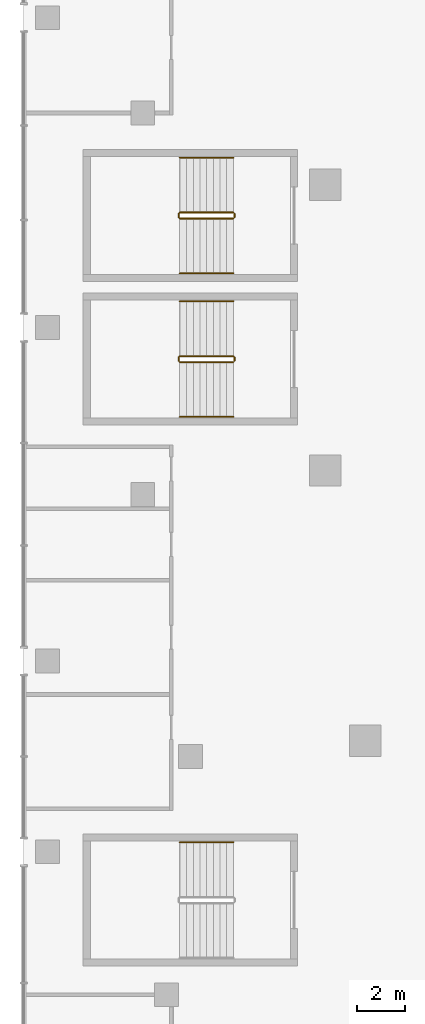
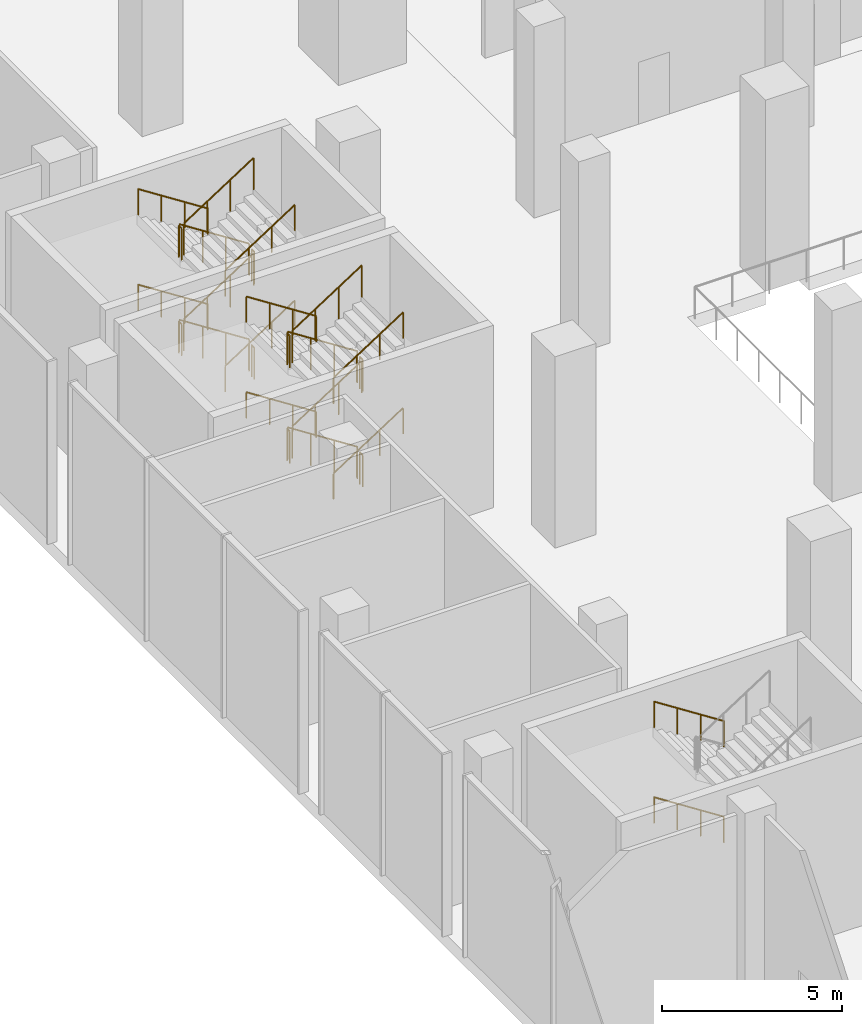
# One storey, part 24 of 30: 26 railings.
"""IFC4 building model written with IfcOpenShell, lengths in metres."""

from ifc_helpers import new_model, si_unit, direction, frame, origin, origin_2d, place, context, subcontext, project, spatial, circle, extrude, material, type_object, element, save


model = new_model("IFC4")

# Units and contexts
model_context = context("Model", 3, precision=1e-05, world=origin(), true_north=direction((0.0, 1.0)))
body_context = subcontext(model_context, "Body", "Model", "MODEL_VIEW")
ifc_project = project(units=[si_unit("LENGTHUNIT", "METRE"), si_unit("AREAUNIT", "SQUARE_METRE"), si_unit("VOLUMEUNIT", "CUBIC_METRE"), si_unit("PLANEANGLEUNIT", "RADIAN"), si_unit("MASSUNIT", "GRAM", prefix="KILO")], contexts=[model_context])

# Site, building, storey
site_placement = place(None, origin())
site = spatial("IfcSite", under=ifc_project, at=site_placement, CompositionType="ELEMENT")
building_placement = place(site_placement, origin())
building = spatial("IfcBuilding", under=site, at=building_placement, Name="Wharfspan Tower", CompositionType="ELEMENT")
storey_placement = place(building_placement, frame((0.0, 0.0, 15.0)))
storey = spatial("IfcBuildingStorey", under=building, at=storey_placement, Name="L02", CompositionType="ELEMENT", Elevation=15.0)

# Railings
ifc_material = material(Name="Steel S355J2", Category="steel")
railing_type_1 = type_object("IfcRailingType", Name="Podium guard 1100", PredefinedType="GUARDRAIL", material=ifc_material)
railing_1_placement = place(storey_placement, frame((-3.199951, 22.800049, 0.180664)))
element("IfcRailing", 1, at=railing_1_placement, inside=storey, type_object=railing_type_1, Name="L02 AS3 stair guard 1", PredefinedType="GUARDRAIL", context=body_context, shape_type="SweptSolid", body=[
    extrude(circle(Radius=0.023926, at=origin_2d()), frame((0.0, 0.0, 1.076172), z_axis=(-0.840437, 0.0, 0.54191), x_axis=(0.0, -1.0, 0.0)), (0.0, 0.0, 1.0), 2.665283),
    extrude(circle(Radius=0.020996, at=origin_2d()), origin(), (0.0, 0.0, 1.0), 1.052002),
    extrude(circle(Radius=0.020996, at=origin_2d()), frame((-0.746582, 0.0, 0.481445)), (0.0, 0.0, 1.0), 1.052002),
    extrude(circle(Radius=0.020996, at=origin_2d()), frame((-1.493408, 0.0, 0.962891)), (0.0, 0.0, 1.0), 1.052002),
    extrude(circle(Radius=0.020996, at=origin_2d()), frame((-2.23999, 0.0, 1.444336)), (0.0, 0.0, 1.0), 1.052002),
])
railing_2_placement = place(storey_placement, frame((-5.48999, 22.75, 1.625)))
element("IfcRailing", 2, at=railing_2_placement, inside=storey, type_object=railing_type_1, Name="L02 AS3 stair guard 2", PredefinedType="GUARDRAIL", context=body_context, shape_type="SweptSolid", body=[
    extrude(circle(Radius=0.023926, at=origin_2d()), frame((0.0, 0.0, 1.076172), z_axis=(0.0, -1.0, 0.0), x_axis=(1.0, 0.0, 0.0)), (0.0, 0.0, 1.0), 0.149902),
    extrude(circle(Radius=0.020996, at=origin_2d()), origin(), (0.0, 0.0, 1.0), 1.052002),
    extrude(circle(Radius=0.020996, at=origin_2d()), frame((0.0, -0.149902, 0.0)), (0.0, 0.0, 1.0), 1.052002),
])
railing_3_placement = place(storey_placement, frame((-5.439941, 22.550049, 1.805664)))
element("IfcRailing", 3, at=railing_3_placement, inside=storey, type_object=railing_type_1, Name="L02 AS3 stair guard 3", PredefinedType="GUARDRAIL", context=body_context, shape_type="SweptSolid", body=[
    extrude(circle(Radius=0.023926, at=origin_2d()), frame((0.0, 0.0, 1.076172), z_axis=(0.840437, 0.0, 0.54191), x_axis=(0.0, 1.0, 0.0)), (0.0, 0.0, 1.0), 2.665283),
    extrude(circle(Radius=0.020996, at=origin_2d()), origin(), (0.0, 0.0, 1.0), 1.052002),
    extrude(circle(Radius=0.020996, at=origin_2d()), frame((0.746582, 0.0, 0.481445)), (0.0, 0.0, 1.0), 1.052002),
    extrude(circle(Radius=0.020996, at=origin_2d()), frame((1.493408, 0.0, 0.962891)), (0.0, 0.0, 1.0), 1.052002),
    extrude(circle(Radius=0.020996, at=origin_2d()), frame((2.23999, 0.0, 1.444336)), (0.0, 0.0, 1.0), 1.052002),
])
railing_4_placement = place(storey_placement, frame((-3.149902, 22.75, 3.25)))
element("IfcRailing", 4, at=railing_4_placement, inside=storey, type_object=railing_type_1, Name="L02 AS3 stair guard 4", PredefinedType="GUARDRAIL", context=body_context, shape_type="SweptSolid", body=[
    extrude(circle(Radius=0.023926, at=origin_2d()), frame((0.0, 0.0, 1.076172), z_axis=(0.0, -1.0, 0.0), x_axis=(1.0, 0.0, 0.0)), (0.0, 0.0, 1.0), 0.149902),
    extrude(circle(Radius=0.020996, at=origin_2d()), origin(), (0.0, 0.0, 1.0), 1.052002),
    extrude(circle(Radius=0.020996, at=origin_2d()), frame((0.0, -0.149902, 0.0)), (0.0, 0.0, 1.0), 1.052002),
])
railing_5_placement = place(storey_placement, frame((-3.199951, 22.800049, 3.430664)))
element("IfcRailing", 5, at=railing_5_placement, inside=storey, type_object=railing_type_1, Name="L02 AS3 stair guard 5", PredefinedType="GUARDRAIL", context=body_context, shape_type="SweptSolid", body=[
    extrude(circle(Radius=0.023926, at=origin_2d()), frame((0.0, 0.0, 1.076172), z_axis=(-0.840437, 0.0, 0.54191), x_axis=(0.0, -1.0, 0.0)), (0.0, 0.0, 1.0), 2.665283),
    extrude(circle(Radius=0.020996, at=origin_2d()), origin(), (0.0, 0.0, 1.0), 1.052002),
    extrude(circle(Radius=0.020996, at=origin_2d()), frame((-0.746582, 0.0, 0.481445)), (0.0, 0.0, 1.0), 1.052002),
    extrude(circle(Radius=0.020996, at=origin_2d()), frame((-1.493408, 0.0, 0.962891)), (0.0, 0.0, 1.0), 1.052002),
    extrude(circle(Radius=0.020996, at=origin_2d()), frame((-2.23999, 0.0, 1.444336)), (0.0, 0.0, 1.0), 1.052002),
])
railing_6_placement = place(storey_placement, frame((-5.48999, 22.75, 4.875)))
element("IfcRailing", 6, at=railing_6_placement, inside=storey, type_object=railing_type_1, Name="L02 AS3 stair guard 6", PredefinedType="GUARDRAIL", context=body_context, shape_type="SweptSolid", body=[
    extrude(circle(Radius=0.023926, at=origin_2d()), frame((0.0, 0.0, 1.076172), z_axis=(0.0, -1.0, 0.0), x_axis=(1.0, 0.0, 0.0)), (0.0, 0.0, 1.0), 0.149902),
    extrude(circle(Radius=0.020996, at=origin_2d()), origin(), (0.0, 0.0, 1.0), 1.052002),
    extrude(circle(Radius=0.020996, at=origin_2d()), frame((0.0, -0.149902, 0.0)), (0.0, 0.0, 1.0), 1.052002),
])
railing_7_placement = place(storey_placement, frame((-5.439941, 22.550049, 5.055664)))
element("IfcRailing", 7, at=railing_7_placement, inside=storey, type_object=railing_type_1, Name="L02 AS3 stair guard 7", PredefinedType="GUARDRAIL", context=body_context, shape_type="SweptSolid", body=[
    extrude(circle(Radius=0.023926, at=origin_2d()), frame((0.0, 0.0, 1.076172), z_axis=(0.840437, 0.0, 0.54191), x_axis=(0.0, 1.0, 0.0)), (0.0, 0.0, 1.0), 2.665283),
    extrude(circle(Radius=0.020996, at=origin_2d()), origin(), (0.0, 0.0, 1.0), 1.052002),
    extrude(circle(Radius=0.020996, at=origin_2d()), frame((0.746582, 0.0, 0.481445)), (0.0, 0.0, 1.0), 1.052002),
    extrude(circle(Radius=0.020996, at=origin_2d()), frame((1.493408, 0.0, 0.962891)), (0.0, 0.0, 1.0), 1.052002),
    extrude(circle(Radius=0.020996, at=origin_2d()), frame((2.23999, 0.0, 1.444336)), (0.0, 0.0, 1.0), 1.052002),
])
railing_8_placement = place(storey_placement, frame((-3.149902, 22.75, 0.0)))
element("IfcRailing", 8, at=railing_8_placement, inside=storey, type_object=railing_type_1, Name="L02 AS3 stair guard 8", PredefinedType="GUARDRAIL", context=body_context, shape_type="SweptSolid", body=[
    extrude(circle(Radius=0.023926, at=origin_2d()), frame((0.0, 0.0, 1.076172), z_axis=(0.0, -1.0, 0.0), x_axis=(1.0, 0.0, 0.0)), (0.0, 0.0, 1.0), 0.149902),
    extrude(circle(Radius=0.020996, at=origin_2d()), origin(), (0.0, 0.0, 1.0), 1.052002),
    extrude(circle(Radius=0.020996, at=origin_2d()), frame((0.0, -0.149902, 0.0)), (0.0, 0.0, 1.0), 1.052002),
])
railing_9_placement = place(storey_placement, frame((-3.199951, 28.824951, 0.180664)))
element("IfcRailing", 9, at=railing_9_placement, inside=storey, type_object=railing_type_1, Name="L02 PS3 stair guard 1", PredefinedType="GUARDRAIL", context=body_context, shape_type="SweptSolid", body=[
    extrude(circle(Radius=0.023926, at=origin_2d()), frame((0.0, 0.0, 1.076172), z_axis=(-0.840437, 0.0, 0.54191), x_axis=(0.0, -1.0, 0.0)), (0.0, 0.0, 1.0), 2.665283),
    extrude(circle(Radius=0.020996, at=origin_2d()), origin(), (0.0, 0.0, 1.0), 1.052002),
    extrude(circle(Radius=0.020996, at=origin_2d()), frame((-0.746582, 0.0, 0.481445)), (0.0, 0.0, 1.0), 1.052002),
    extrude(circle(Radius=0.020996, at=origin_2d()), frame((-1.493408, 0.0, 0.962891)), (0.0, 0.0, 1.0), 1.052002),
    extrude(circle(Radius=0.020996, at=origin_2d()), frame((-2.23999, 0.0, 1.444336)), (0.0, 0.0, 1.0), 1.052002),
])
railing_10_placement = place(storey_placement, frame((-5.48999, 28.774902, 1.625)))
element("IfcRailing", 10, at=railing_10_placement, inside=storey, type_object=railing_type_1, Name="L02 PS3 stair guard 2", PredefinedType="GUARDRAIL", context=body_context, shape_type="SweptSolid", body=[
    extrude(circle(Radius=0.023926, at=origin_2d()), frame((0.0, 0.0, 1.076172), z_axis=(0.0, -1.0, 0.0), x_axis=(1.0, 0.0, 0.0)), (0.0, 0.0, 1.0), 0.149902),
    extrude(circle(Radius=0.020996, at=origin_2d()), origin(), (0.0, 0.0, 1.0), 1.052002),
    extrude(circle(Radius=0.020996, at=origin_2d()), frame((0.0, -0.149902, 0.0)), (0.0, 0.0, 1.0), 1.052002),
])
railing_11_placement = place(storey_placement, frame((-5.439941, 28.574951, 1.805664)))
element("IfcRailing", 11, at=railing_11_placement, inside=storey, type_object=railing_type_1, Name="L02 PS3 stair guard 3", PredefinedType="GUARDRAIL", context=body_context, shape_type="SweptSolid", body=[
    extrude(circle(Radius=0.023926, at=origin_2d()), frame((0.0, 0.0, 1.076172), z_axis=(0.840437, 0.0, 0.54191), x_axis=(0.0, 1.0, 0.0)), (0.0, 0.0, 1.0), 2.665283),
    extrude(circle(Radius=0.020996, at=origin_2d()), origin(), (0.0, 0.0, 1.0), 1.052002),
    extrude(circle(Radius=0.020996, at=origin_2d()), frame((0.746582, 0.0, 0.481445)), (0.0, 0.0, 1.0), 1.052002),
    extrude(circle(Radius=0.020996, at=origin_2d()), frame((1.493408, 0.0, 0.962891)), (0.0, 0.0, 1.0), 1.052002),
    extrude(circle(Radius=0.020996, at=origin_2d()), frame((2.23999, 0.0, 1.444336)), (0.0, 0.0, 1.0), 1.052002),
])
railing_12_placement = place(storey_placement, frame((-3.149902, 28.774902, 3.25)))
element("IfcRailing", 12, at=railing_12_placement, inside=storey, type_object=railing_type_1, Name="L02 PS3 stair guard 4", PredefinedType="GUARDRAIL", context=body_context, shape_type="SweptSolid", body=[
    extrude(circle(Radius=0.023926, at=origin_2d()), frame((0.0, 0.0, 1.076172), z_axis=(0.0, -1.0, 0.0), x_axis=(1.0, 0.0, 0.0)), (0.0, 0.0, 1.0), 0.149902),
    extrude(circle(Radius=0.020996, at=origin_2d()), origin(), (0.0, 0.0, 1.0), 1.052002),
    extrude(circle(Radius=0.020996, at=origin_2d()), frame((0.0, -0.149902, 0.0)), (0.0, 0.0, 1.0), 1.052002),
])
railing_13_placement = place(storey_placement, frame((-3.199951, 28.824951, 3.430664)))
element("IfcRailing", 13, at=railing_13_placement, inside=storey, type_object=railing_type_1, Name="L02 PS3 stair guard 5", PredefinedType="GUARDRAIL", context=body_context, shape_type="SweptSolid", body=[
    extrude(circle(Radius=0.023926, at=origin_2d()), frame((0.0, 0.0, 1.076172), z_axis=(-0.840437, 0.0, 0.54191), x_axis=(0.0, -1.0, 0.0)), (0.0, 0.0, 1.0), 2.665283),
    extrude(circle(Radius=0.020996, at=origin_2d()), origin(), (0.0, 0.0, 1.0), 1.052002),
    extrude(circle(Radius=0.020996, at=origin_2d()), frame((-0.746582, 0.0, 0.481445)), (0.0, 0.0, 1.0), 1.052002),
    extrude(circle(Radius=0.020996, at=origin_2d()), frame((-1.493408, 0.0, 0.962891)), (0.0, 0.0, 1.0), 1.052002),
    extrude(circle(Radius=0.020996, at=origin_2d()), frame((-2.23999, 0.0, 1.444336)), (0.0, 0.0, 1.0), 1.052002),
])
railing_14_placement = place(storey_placement, frame((-5.48999, 28.774902, 4.875)))
element("IfcRailing", 14, at=railing_14_placement, inside=storey, type_object=railing_type_1, Name="L02 PS3 stair guard 6", PredefinedType="GUARDRAIL", context=body_context, shape_type="SweptSolid", body=[
    extrude(circle(Radius=0.023926, at=origin_2d()), frame((0.0, 0.0, 1.076172), z_axis=(0.0, -1.0, 0.0), x_axis=(1.0, 0.0, 0.0)), (0.0, 0.0, 1.0), 0.149902),
    extrude(circle(Radius=0.020996, at=origin_2d()), origin(), (0.0, 0.0, 1.0), 1.052002),
    extrude(circle(Radius=0.020996, at=origin_2d()), frame((0.0, -0.149902, 0.0)), (0.0, 0.0, 1.0), 1.052002),
])
railing_15_placement = place(storey_placement, frame((-5.439941, 28.574951, 5.055664)))
element("IfcRailing", 15, at=railing_15_placement, inside=storey, type_object=railing_type_1, Name="L02 PS3 stair guard 7", PredefinedType="GUARDRAIL", context=body_context, shape_type="SweptSolid", body=[
    extrude(circle(Radius=0.023926, at=origin_2d()), frame((0.0, 0.0, 1.076172), z_axis=(0.840437, 0.0, 0.54191), x_axis=(0.0, 1.0, 0.0)), (0.0, 0.0, 1.0), 2.665283),
    extrude(circle(Radius=0.020996, at=origin_2d()), origin(), (0.0, 0.0, 1.0), 1.052002),
    extrude(circle(Radius=0.020996, at=origin_2d()), frame((0.746582, 0.0, 0.481445)), (0.0, 0.0, 1.0), 1.052002),
    extrude(circle(Radius=0.020996, at=origin_2d()), frame((1.493408, 0.0, 0.962891)), (0.0, 0.0, 1.0), 1.052002),
    extrude(circle(Radius=0.020996, at=origin_2d()), frame((2.23999, 0.0, 1.444336)), (0.0, 0.0, 1.0), 1.052002),
])
railing_16_placement = place(storey_placement, frame((-3.149902, 28.774902, 0.0)))
element("IfcRailing", 16, at=railing_16_placement, inside=storey, type_object=railing_type_1, Name="L02 PS3 stair guard 8", PredefinedType="GUARDRAIL", context=body_context, shape_type="SweptSolid", body=[
    extrude(circle(Radius=0.023926, at=origin_2d()), frame((0.0, 0.0, 1.076172), z_axis=(0.0, -1.0, 0.0), x_axis=(1.0, 0.0, 0.0)), (0.0, 0.0, 1.0), 0.149902),
    extrude(circle(Radius=0.020996, at=origin_2d()), origin(), (0.0, 0.0, 1.0), 1.052002),
    extrude(circle(Radius=0.020996, at=origin_2d()), frame((0.0, -0.149902, 0.0)), (0.0, 0.0, 1.0), 1.052002),
])
railing_type_2 = type_object("IfcRailingType", Name="Podium stair handrail 900", PredefinedType="HANDRAIL", material=ifc_material)
for number, where, name in (
    (17, (-3.199951, 2.399902, 0.180664), "L02 AS7 stair handrail 1"),
    (18, (-3.199951, 2.399902, 3.430664), "L02 AS7 stair handrail 3"),
    (19, (-3.199951, 25.100098, 0.180664), "L02 AS3 stair handrail 1"),
):
    element("IfcRailing", number, at=place(storey_placement, frame(where)), inside=storey, type_object=railing_type_2, Name=name, PredefinedType="HANDRAIL", context=body_context, shape_type="SweptSolid", body=[
        extrude(circle(Radius=0.023926, at=origin_2d()), frame((0.0, 0.0, 0.875977), z_axis=(-0.840437, 0.0, 0.54191), x_axis=(0.0, -1.0, 0.0)), (0.0, 0.0, 1.0), 2.665283),
        extrude(circle(Radius=0.020996, at=origin_2d()), origin(), (0.0, 0.0, 1.0), 0.851807),
        extrude(circle(Radius=0.020996, at=origin_2d()), frame((-0.746582, 0.0, 0.481445)), (0.0, 0.0, 1.0), 0.851807),
        extrude(circle(Radius=0.020996, at=origin_2d()), frame((-1.493408, 0.0, 0.962891)), (0.0, 0.0, 1.0), 0.851807),
        extrude(circle(Radius=0.020996, at=origin_2d()), frame((-2.23999, 0.0, 1.444336)), (0.0, 0.0, 1.0), 0.851807),
    ])
railing_17_placement = place(storey_placement, frame((-5.439941, 20.25, 1.805664)))
element("IfcRailing", 20, at=railing_17_placement, inside=storey, type_object=railing_type_2, Name="L02 AS3 stair handrail 2", PredefinedType="HANDRAIL", context=body_context, shape_type="SweptSolid", body=[
    extrude(circle(Radius=0.023926, at=origin_2d()), frame((0.0, 0.0, 0.875977), z_axis=(0.840437, 0.0, 0.54191), x_axis=(0.0, 1.0, 0.0)), (0.0, 0.0, 1.0), 2.665283),
    extrude(circle(Radius=0.020996, at=origin_2d()), origin(), (0.0, 0.0, 1.0), 0.851807),
    extrude(circle(Radius=0.020996, at=origin_2d()), frame((0.746582, 0.0, 0.481445)), (0.0, 0.0, 1.0), 0.851807),
    extrude(circle(Radius=0.020996, at=origin_2d()), frame((1.493408, 0.0, 0.962891)), (0.0, 0.0, 1.0), 0.851807),
    extrude(circle(Radius=0.020996, at=origin_2d()), frame((2.23999, 0.0, 1.444336)), (0.0, 0.0, 1.0), 0.851807),
])
railing_18_placement = place(storey_placement, frame((-3.199951, 25.100098, 3.430664)))
element("IfcRailing", 21, at=railing_18_placement, inside=storey, type_object=railing_type_2, Name="L02 AS3 stair handrail 3", PredefinedType="HANDRAIL", context=body_context, shape_type="SweptSolid", body=[
    extrude(circle(Radius=0.023926, at=origin_2d()), frame((0.0, 0.0, 0.875977), z_axis=(-0.840437, 0.0, 0.54191), x_axis=(0.0, -1.0, 0.0)), (0.0, 0.0, 1.0), 2.665283),
    extrude(circle(Radius=0.020996, at=origin_2d()), origin(), (0.0, 0.0, 1.0), 0.851807),
    extrude(circle(Radius=0.020996, at=origin_2d()), frame((-0.746582, 0.0, 0.481445)), (0.0, 0.0, 1.0), 0.851807),
    extrude(circle(Radius=0.020996, at=origin_2d()), frame((-1.493408, 0.0, 0.962891)), (0.0, 0.0, 1.0), 0.851807),
    extrude(circle(Radius=0.020996, at=origin_2d()), frame((-2.23999, 0.0, 1.444336)), (0.0, 0.0, 1.0), 0.851807),
])
railing_19_placement = place(storey_placement, frame((-5.439941, 20.25, 5.055664)))
element("IfcRailing", 22, at=railing_19_placement, inside=storey, type_object=railing_type_2, Name="L02 AS3 stair handrail 4", PredefinedType="HANDRAIL", context=body_context, shape_type="SweptSolid", body=[
    extrude(circle(Radius=0.023926, at=origin_2d()), frame((0.0, 0.0, 0.875977), z_axis=(0.840437, 0.0, 0.54191), x_axis=(0.0, 1.0, 0.0)), (0.0, 0.0, 1.0), 2.665283),
    extrude(circle(Radius=0.020996, at=origin_2d()), origin(), (0.0, 0.0, 1.0), 0.851807),
    extrude(circle(Radius=0.020996, at=origin_2d()), frame((0.746582, 0.0, 0.481445)), (0.0, 0.0, 1.0), 0.851807),
    extrude(circle(Radius=0.020996, at=origin_2d()), frame((1.493408, 0.0, 0.962891)), (0.0, 0.0, 1.0), 0.851807),
    extrude(circle(Radius=0.020996, at=origin_2d()), frame((2.23999, 0.0, 1.444336)), (0.0, 0.0, 1.0), 0.851807),
])
railing_20_placement = place(storey_placement, frame((-3.199951, 31.125, 0.180664)))
element("IfcRailing", 23, at=railing_20_placement, inside=storey, type_object=railing_type_2, Name="L02 PS3 stair handrail 1", PredefinedType="HANDRAIL", context=body_context, shape_type="SweptSolid", body=[
    extrude(circle(Radius=0.023926, at=origin_2d()), frame((0.0, 0.0, 0.875977), z_axis=(-0.840437, 0.0, 0.54191), x_axis=(0.0, -1.0, 0.0)), (0.0, 0.0, 1.0), 2.665283),
    extrude(circle(Radius=0.020996, at=origin_2d()), origin(), (0.0, 0.0, 1.0), 0.851807),
    extrude(circle(Radius=0.020996, at=origin_2d()), frame((-0.746582, 0.0, 0.481445)), (0.0, 0.0, 1.0), 0.851807),
    extrude(circle(Radius=0.020996, at=origin_2d()), frame((-1.493408, 0.0, 0.962891)), (0.0, 0.0, 1.0), 0.851807),
    extrude(circle(Radius=0.020996, at=origin_2d()), frame((-2.23999, 0.0, 1.444336)), (0.0, 0.0, 1.0), 0.851807),
])
railing_21_placement = place(storey_placement, frame((-5.439941, 26.274902, 1.805664)))
element("IfcRailing", 24, at=railing_21_placement, inside=storey, type_object=railing_type_2, Name="L02 PS3 stair handrail 2", PredefinedType="HANDRAIL", context=body_context, shape_type="SweptSolid", body=[
    extrude(circle(Radius=0.023926, at=origin_2d()), frame((0.0, 0.0, 0.875977), z_axis=(0.840437, 0.0, 0.54191), x_axis=(0.0, 1.0, 0.0)), (0.0, 0.0, 1.0), 2.665283),
    extrude(circle(Radius=0.020996, at=origin_2d()), origin(), (0.0, 0.0, 1.0), 0.851807),
    extrude(circle(Radius=0.020996, at=origin_2d()), frame((0.746582, 0.0, 0.481445)), (0.0, 0.0, 1.0), 0.851807),
    extrude(circle(Radius=0.020996, at=origin_2d()), frame((1.493408, 0.0, 0.962891)), (0.0, 0.0, 1.0), 0.851807),
    extrude(circle(Radius=0.020996, at=origin_2d()), frame((2.23999, 0.0, 1.444336)), (0.0, 0.0, 1.0), 0.851807),
])
railing_22_placement = place(storey_placement, frame((-3.199951, 31.125, 3.430664)))
element("IfcRailing", 25, at=railing_22_placement, inside=storey, type_object=railing_type_2, Name="L02 PS3 stair handrail 3", PredefinedType="HANDRAIL", context=body_context, shape_type="SweptSolid", body=[
    extrude(circle(Radius=0.023926, at=origin_2d()), frame((0.0, 0.0, 0.875977), z_axis=(-0.840437, 0.0, 0.54191), x_axis=(0.0, -1.0, 0.0)), (0.0, 0.0, 1.0), 2.665283),
    extrude(circle(Radius=0.020996, at=origin_2d()), origin(), (0.0, 0.0, 1.0), 0.851807),
    extrude(circle(Radius=0.020996, at=origin_2d()), frame((-0.746582, 0.0, 0.481445)), (0.0, 0.0, 1.0), 0.851807),
    extrude(circle(Radius=0.020996, at=origin_2d()), frame((-1.493408, 0.0, 0.962891)), (0.0, 0.0, 1.0), 0.851807),
    extrude(circle(Radius=0.020996, at=origin_2d()), frame((-2.23999, 0.0, 1.444336)), (0.0, 0.0, 1.0), 0.851807),
])
railing_23_placement = place(storey_placement, frame((-5.439941, 26.274902, 5.055664)))
element("IfcRailing", 26, at=railing_23_placement, inside=storey, type_object=railing_type_2, Name="L02 PS3 stair handrail 4", PredefinedType="HANDRAIL", context=body_context, shape_type="SweptSolid", body=[
    extrude(circle(Radius=0.023926, at=origin_2d()), frame((0.0, 0.0, 0.875977), z_axis=(0.840437, 0.0, 0.54191), x_axis=(0.0, 1.0, 0.0)), (0.0, 0.0, 1.0), 2.665283),
    extrude(circle(Radius=0.020996, at=origin_2d()), origin(), (0.0, 0.0, 1.0), 0.851807),
    extrude(circle(Radius=0.020996, at=origin_2d()), frame((0.746582, 0.0, 0.481445)), (0.0, 0.0, 1.0), 0.851807),
    extrude(circle(Radius=0.020996, at=origin_2d()), frame((1.493408, 0.0, 0.962891)), (0.0, 0.0, 1.0), 0.851807),
    extrude(circle(Radius=0.020996, at=origin_2d()), frame((2.23999, 0.0, 1.444336)), (0.0, 0.0, 1.0), 0.851807),
])

save(model, "model.ifc")
